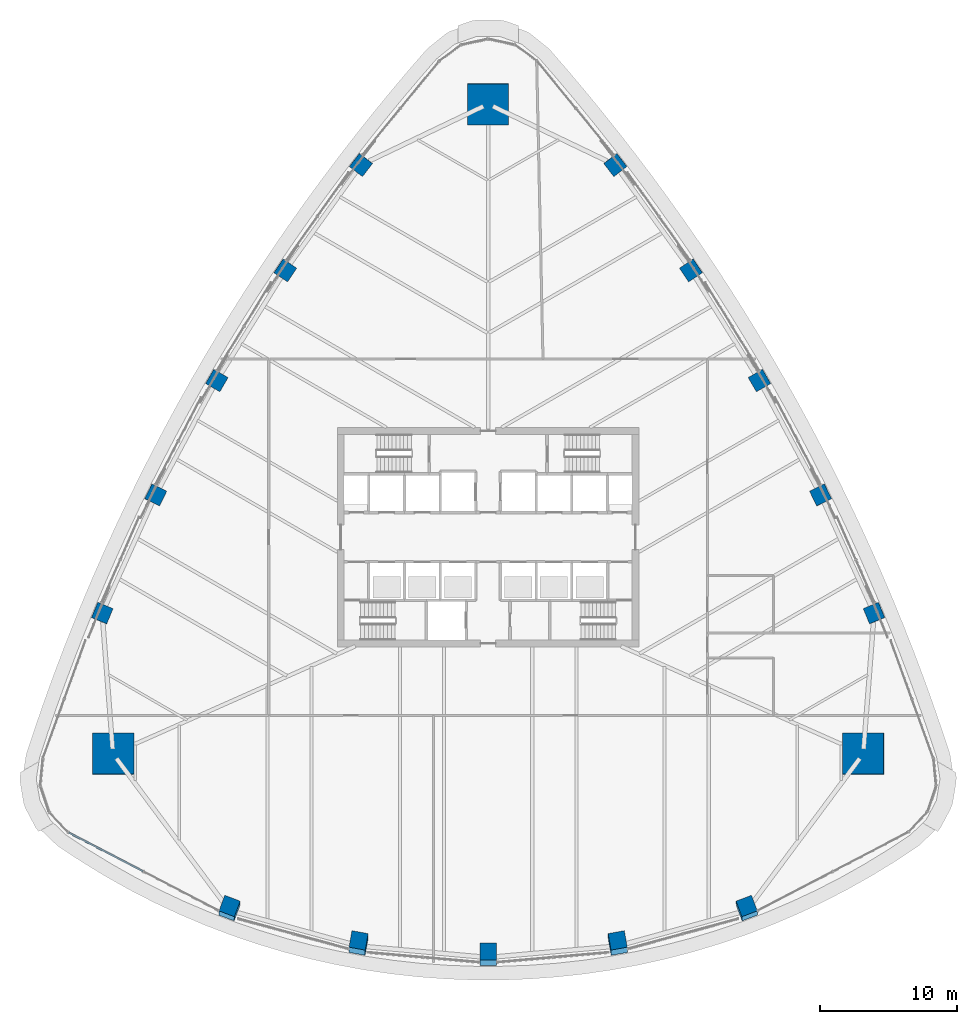
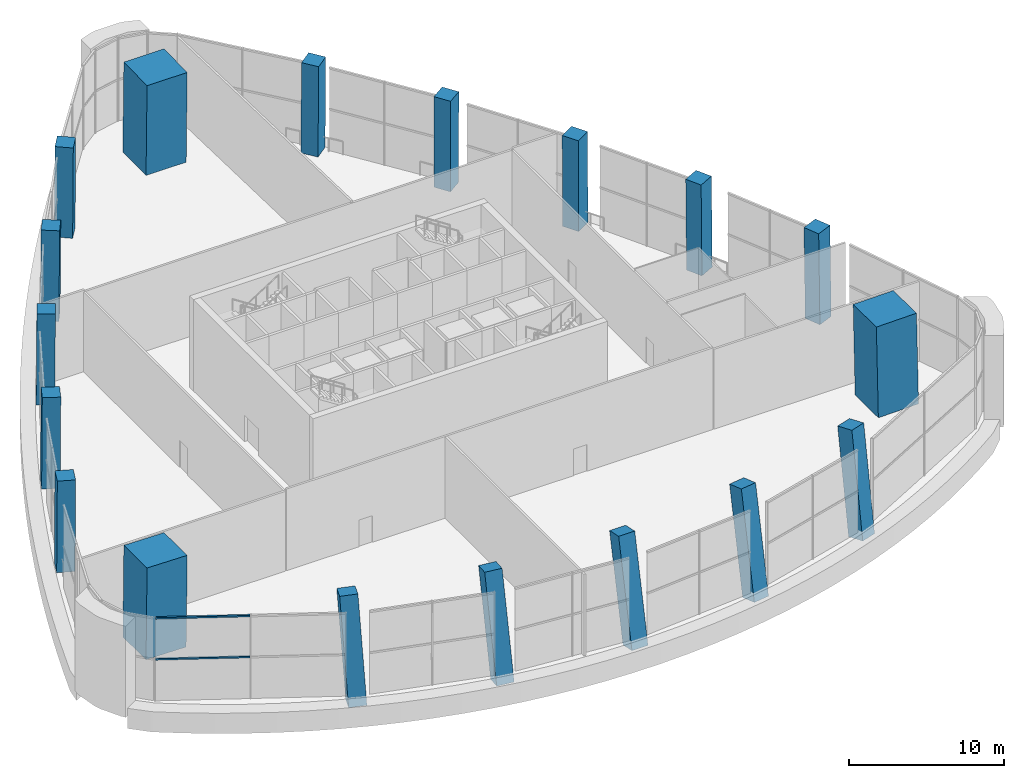
# One storey, part 1 of 23: 18 columns, 2 members, 1 element without a shape of its own.
"""IFC4 building model written with IfcOpenShell, lengths in metres."""

from ifc_helpers import new_model, si_unit, direction, frame, origin, origin_2d, place, context, subcontext, project, spatial, rectangle, extrude, clip, halfspace, material, layer, layer_set, material_profile, profile_set, type_object, element, aggregate, save


model = new_model("IFC4")

# Units and contexts
model_context = context("Model", 3, precision=1e-05, world=origin(), true_north=direction((0.0, 1.0)))
body_context = subcontext(model_context, "Body", "Model", "MODEL_VIEW")
ifc_project = project(units=[si_unit("LENGTHUNIT", "METRE"), si_unit("AREAUNIT", "SQUARE_METRE"), si_unit("VOLUMEUNIT", "CUBIC_METRE"), si_unit("PLANEANGLEUNIT", "RADIAN"), si_unit("MASSUNIT", "GRAM", prefix="KILO")], contexts=[model_context])

# Site, building, storey
site_placement = place(None, origin())
site = spatial("IfcSite", under=ifc_project, at=site_placement, CompositionType="ELEMENT")
building_placement = place(site_placement, origin())
building = spatial("IfcBuilding", under=site, at=building_placement, Name="Sierra Prisma Convention Tower", CompositionType="ELEMENT")
storey_placement = place(building_placement, frame((0.0, 0.0, 40.800048828125)))
storey = spatial("IfcBuildingStorey", under=building, at=storey_placement, Name="L06", CompositionType="ELEMENT", Elevation=40.800048828125)

# Columns
ifc_material_1 = material(Name="Concrete C60/75", Category="concrete")
ifc_material_profile_1 = material_profile(ifc_material_1, rectangle(XDim=3.0, YDim=3.0, at=origin_2d()), Name="Mega column RC 3000 C60/75")
ifc_profile_set_1 = profile_set([ifc_material_profile_1], Name="Concrete C60/75")
column_type_1 = type_object("IfcColumnType", Name="Mega column RC 3000 C60/75", PredefinedType="COLUMN", material=ifc_profile_set_1)
column_1_placement = place(storey_placement, frame((27.35498046875, -15.79345703125, 0.0), z_axis=(-0.015731017222, 0.009086018568, 0.999834976065), x_axis=(0.999876259893, 0.000142950003, 0.015730367705)))
element("IfcColumn", 1, at=column_1_placement, inside=storey, type_object=column_type_1, Name="Mega column SE L06", PredefinedType="COLUMN", context=body_context, shape_type="SweptSolid", body=[
    clip(clip(extrude(rectangle(XDim=3.0, YDim=3.0, at=origin_2d()), origin(), (0.0, 0.0, 1.0), 7.201171875), halfspace(frame((0.0, 0.0, 0.018798828125)), True)), halfspace(frame((0.0, 0.0, 7.183349609375)), False)),
])
column_2_placement = place(storey_placement, frame((0.0, 31.5869140625, 0.0), z_axis=(0.0, -0.018172035298, 0.999834874933), x_axis=(1.0, 0.0, 0.0)))
element("IfcColumn", 2, at=column_2_placement, inside=storey, type_object=column_type_1, Name="Mega column N L06", PredefinedType="COLUMN", context=body_context, shape_type="SweptSolid", body=[
    clip(clip(extrude(rectangle(XDim=3.0, YDim=3.0, at=origin_2d()), origin(), (0.0, 0.0, 1.0), 7.201171875), halfspace(frame((0.0, 0.0, 0.013916015625)), True)), halfspace(frame((0.0, 0.0, 7.18798828125)), False)),
])
column_3_placement = place(storey_placement, frame((-27.35498046875, -15.79345703125, 0.0), z_axis=(0.015731017222, 0.009086018568, 0.999834976065), x_axis=(0.999876259893, -0.000142950003, -0.015730367705)))
element("IfcColumn", 3, at=column_3_placement, inside=storey, type_object=column_type_1, Name="Mega column SW L06", PredefinedType="COLUMN", context=body_context, shape_type="SweptSolid", body=[
    clip(clip(extrude(rectangle(XDim=3.0, YDim=3.0, at=origin_2d()), origin(), (0.0, 0.0, 1.0), 7.201171875), halfspace(frame((0.0, 0.0, 0.018798828125)), True)), halfspace(frame((0.0, 0.0, 7.183349609375)), False)),
])
ifc_material_2 = material(Name="Concrete C60/75", Category="concrete")
ifc_material_profile_2 = material_profile(ifc_material_2, rectangle(XDim=1.199951171875, YDim=1.199951171875, at=origin_2d()), Name="Perimeter column RC 1200 C60/75")
ifc_profile_set_2 = profile_set([ifc_material_profile_2], Name="Concrete C60/75")
column_type_2 = type_object("IfcColumnType", Name="Perimeter column RC 1200 C60/75", PredefinedType="COLUMN", material=ifc_profile_set_2)
column_4_placement = place(storey_placement, frame((-18.873046875, -27.216552734375, -0.800048828125), z_axis=(0.008827608643, 0.15895721228, 0.987246006824), x_axis=(-0.935890360505, 0.349029526588, -0.047829098714)))
element("IfcColumn", 4, at=column_4_placement, inside=storey, type_object=column_type_2, Name="Perimeter column S-1 L06", PredefinedType="COLUMN", context=body_context, shape_type="SweptSolid", body=[
    clip(extrude(rectangle(XDim=1.199951171875, YDim=1.199951171875, at=origin_2d()), origin(), (0.0, 0.0, 1.0), 8.103271484375), halfspace(frame((0.0, 0.0, 8.095703125)), False)),
])
column_5_placement = place(storey_placement, frame((-9.456787109375, -29.808837890625, -0.800048828125), z_axis=(0.004366538827, 0.198856963432, 0.980018796469), x_axis=(-0.984295139552, 0.173808437935, -0.03088211711)))
element("IfcColumn", 5, at=column_5_placement, inside=storey, type_object=column_type_2, Name="Perimeter column S-2 L06", PredefinedType="COLUMN", context=body_context, shape_type="SweptSolid", body=[
    clip(extrude(rectangle(XDim=1.199951171875, YDim=1.199951171875, at=origin_2d()), origin(), (0.0, 0.0, 1.0), 8.1630859375), halfspace(frame((0.0, 0.0, 8.15478515625)), False)),
])
column_6_placement = place(storey_placement, frame((0.0, -30.64990234375, -0.800048828125), z_axis=(0.0, 0.21093456423, 0.977500183945), x_axis=(-1.0, 0.0, 0.0)))
element("IfcColumn", 6, at=column_6_placement, inside=storey, type_object=column_type_2, Name="Perimeter column S-3 L06", PredefinedType="COLUMN", context=body_context, shape_type="SweptSolid", body=[
    clip(extrude(rectangle(XDim=1.199951171875, YDim=1.199951171875, at=origin_2d()), origin(), (0.0, 0.0, 1.0), 8.18408203125), halfspace(frame((0.0, 0.0, 8.17529296875)), False)),
])
column_7_placement = place(storey_placement, frame((9.456787109375, -29.808837890625, -0.800048828125), z_axis=(-0.004366538827, 0.198856963432, 0.980018796469), x_axis=(0.984295139552, 0.173808437935, -0.03088211711)))
element("IfcColumn", 7, at=column_7_placement, inside=storey, type_object=column_type_2, Name="Perimeter column S-4 L06", PredefinedType="COLUMN", context=body_context, shape_type="SweptSolid", body=[
    clip(extrude(rectangle(XDim=1.199951171875, YDim=1.199951171875, at=origin_2d()), origin(), (0.0, 0.0, 1.0), 8.1630859375), halfspace(frame((0.0, 0.0, 8.15478515625)), False)),
])
column_8_placement = place(storey_placement, frame((18.873046875, -27.216552734375, -0.800048828125), z_axis=(-0.008827608643, 0.15895721228, 0.987246006824), x_axis=(0.935890360505, 0.349029526588, -0.047829098714)))
element("IfcColumn", 8, at=column_8_placement, inside=storey, type_object=column_type_2, Name="Perimeter column S-5 L06", PredefinedType="COLUMN", context=body_context, shape_type="SweptSolid", body=[
    clip(extrude(rectangle(XDim=1.199951171875, YDim=1.199951171875, at=origin_2d()), origin(), (0.0, 0.0, 1.0), 8.103271484375), halfspace(frame((0.0, 0.0, 8.095703125)), False)),
])
column_9_placement = place(storey_placement, frame((28.14892578125, -5.540771484375, 0.0), z_axis=(-0.010002391004, 0.0056623705, 0.999933942685), x_axis=(-0.382116007495, 0.924069998434, -0.009055098571)))
element("IfcColumn", 9, at=column_9_placement, inside=storey, type_object=column_type_2, Name="Perimeter column NE-1 L06", PredefinedType="COLUMN", context=body_context, shape_type="SweptSolid", body=[
    clip(clip(extrude(rectangle(XDim=1.199951171875, YDim=1.199951171875, at=origin_2d()), origin(), (0.0, 0.0, 1.0), 7.200439453125), halfspace(frame((0.0, 0.0, 0.009765625)), True)), halfspace(frame((0.0, 0.0, 7.195556640625)), False)),
])
column_10_placement = place(storey_placement, frame((24.247802734375, 3.07958984375, 0.0), z_axis=(-0.007866557869, 0.001186765196, 0.999968353927), x_axis=(-0.442008886262, 0.896999173291, -0.004541759611)))
element("IfcColumn", 10, at=column_10_placement, inside=storey, type_object=column_type_2, Name="Perimeter column NE-2 L06", PredefinedType="COLUMN", context=body_context, shape_type="SweptSolid", body=[
    clip(clip(extrude(rectangle(XDim=1.199951171875, YDim=1.199951171875, at=origin_2d()), origin(), (0.0, 0.0, 1.0), 7.2001953125), halfspace(frame((0.0, 0.0, 0.00830078125)), True)), halfspace(frame((0.0, 0.0, 7.19677734375)), False)),
])
column_11_placement = place(storey_placement, frame((19.788818359375, 11.425048828125, 0.0), z_axis=(-0.005526997469, -0.003187348234, 0.999979646348), x_axis=(-0.499992363016, 0.866029812948, -3.117994e-06)))
element("IfcColumn", 11, at=column_11_placement, inside=storey, type_object=column_type_2, Name="Perimeter column NE-3 L06", PredefinedType="COLUMN", context=body_context, shape_type="SweptSolid", body=[
    clip(clip(extrude(rectangle(XDim=1.199951171875, YDim=1.199951171875, at=origin_2d()), origin(), (0.0, 0.0, 1.0), 7.2001953125), halfspace(frame((0.0, 0.0, 0.0068359375)), True)), halfspace(frame((0.0, 0.0, 7.197998046875)), False)),
])
column_12_placement = place(storey_placement, frame((14.791015625, 19.45947265625, 0.0), z_axis=(-0.002916051107, -0.007425758053, 0.999968176875), x_axis=(-0.555814547403, 0.831293849984, 0.004552348244)))
element("IfcColumn", 12, at=column_12_placement, inside=storey, type_object=column_type_2, Name="Perimeter column NE-4 L06", PredefinedType="COLUMN", context=body_context, shape_type="SweptSolid", body=[
    clip(clip(extrude(rectangle(XDim=1.199951171875, YDim=1.199951171875, at=origin_2d()), origin(), (0.0, 0.0, 1.0), 7.2001953125), halfspace(frame((0.0, 0.0, 0.00830078125)), True)), halfspace(frame((0.0, 0.0, 7.19677734375)), False)),
])
for number, where, z_axis, x_axis, name in (
    (13, (9.27587890625, 27.148193359375, 0.0), (-6.7812793e-05, -0.01152817489, 0.999933546085), (-0.609232105746, 0.792939734998, 0.009100438971), "Perimeter column NE-5 L06"),
    (14, (-9.27587890625, 27.148193359375, 0.0), (6.7812793e-05, -0.01152817489, 0.999933546085), (0.609232105746, 0.792939734998, 0.009100438971), "Perimeter column NW-1 L06"),
):
    element("IfcColumn", number, at=place(storey_placement, frame(where, z_axis=z_axis, x_axis=x_axis)), inside=storey, type_object=column_type_2, Name=name, PredefinedType="COLUMN", context=body_context, shape_type="SweptSolid", body=[
        clip(clip(extrude(rectangle(XDim=1.199951171875, YDim=1.199951171875, at=origin_2d()), origin(), (0.0, 0.0, 1.0), 7.200439453125), halfspace(frame((0.0, 0.0, 0.009765625)), True)), halfspace(frame((0.0, 0.0, 7.195556640625)), False)),
    ])
column_13_placement = place(storey_placement, frame((-14.791015625, 19.45947265625, 0.0), z_axis=(0.002916051107, -0.007425758053, 0.999968176875), x_axis=(0.555814547403, 0.831293849984, 0.004552348244)))
element("IfcColumn", 15, at=column_13_placement, inside=storey, type_object=column_type_2, Name="Perimeter column NW-2 L06", PredefinedType="COLUMN", context=body_context, shape_type="SweptSolid", body=[
    clip(clip(extrude(rectangle(XDim=1.199951171875, YDim=1.199951171875, at=origin_2d()), origin(), (0.0, 0.0, 1.0), 7.2001953125), halfspace(frame((0.0, 0.0, 0.00830078125)), True)), halfspace(frame((0.0, 0.0, 7.19677734375)), False)),
])
column_14_placement = place(storey_placement, frame((-19.788818359375, 11.425048828125, 0.0), z_axis=(0.005526997469, -0.003187348234, 0.999979646348), x_axis=(0.499992363016, 0.866029812948, -3.117994e-06)))
element("IfcColumn", 16, at=column_14_placement, inside=storey, type_object=column_type_2, Name="Perimeter column NW-3 L06", PredefinedType="COLUMN", context=body_context, shape_type="SweptSolid", body=[
    clip(clip(extrude(rectangle(XDim=1.199951171875, YDim=1.199951171875, at=origin_2d()), origin(), (0.0, 0.0, 1.0), 7.2001953125), halfspace(frame((0.0, 0.0, 0.0068359375)), True)), halfspace(frame((0.0, 0.0, 7.197998046875)), False)),
])
column_15_placement = place(storey_placement, frame((-24.247802734375, 3.07958984375, 0.0), z_axis=(0.007866557869, 0.001186765196, 0.999968353927), x_axis=(0.442008886262, 0.896999173291, -0.004541759611)))
element("IfcColumn", 17, at=column_15_placement, inside=storey, type_object=column_type_2, Name="Perimeter column NW-4 L06", PredefinedType="COLUMN", context=body_context, shape_type="SweptSolid", body=[
    clip(clip(extrude(rectangle(XDim=1.199951171875, YDim=1.199951171875, at=origin_2d()), origin(), (0.0, 0.0, 1.0), 7.2001953125), halfspace(frame((0.0, 0.0, 0.00830078125)), True)), halfspace(frame((0.0, 0.0, 7.19677734375)), False)),
])
column_16_placement = place(storey_placement, frame((-28.14892578125, -5.540771484375, 0.0), z_axis=(0.010002391004, 0.0056623705, 0.999933942685), x_axis=(0.382116007495, 0.924069998434, -0.009055098571)))
element("IfcColumn", 18, at=column_16_placement, inside=storey, type_object=column_type_2, Name="Perimeter column NW-5 L06", PredefinedType="COLUMN", context=body_context, shape_type="SweptSolid", body=[
    clip(clip(extrude(rectangle(XDim=1.199951171875, YDim=1.199951171875, at=origin_2d()), origin(), (0.0, 0.0, 1.0), 7.200439453125), halfspace(frame((0.0, 0.0, 0.009765625)), True)), halfspace(frame((0.0, 0.0, 7.195556640625)), False)),
])

# Curtain wall, members
ifc_material_3 = material(Name="Aluminium and glass curtain wall", Category="aluminium")
ifc_layer = layer(ifc_material_3, 0.179931640625)
ifc_layer_set = layer_set([ifc_layer], Name="CW-4 Sky lobby double-height curtain wall")
curtain_wall_type = type_object("IfcCurtainWallType", Name="CW-4 Sky lobby double-height curtain wall", PredefinedType="NOTDEFINED", material=ifc_layer_set)
curtain_wall_placement = place(storey_placement, origin())
curtain_wall = element("IfcCurtainWall", 19, at=curtain_wall_placement, inside=storey, type_object=curtain_wall_type, Name="CW-4 S1 L06", PredefinedType="NOTDEFINED")
ifc_material_4 = material(Name="Aluminium 6063-T6 bronze anodised", Category="aluminium")
ifc_material_profile_3 = material_profile(ifc_material_4, rectangle(XDim=0.139892578125, YDim=0.1201171875, at=origin_2d()), Name="ALU TRANSOM 120x140")
ifc_profile_set_3 = profile_set([ifc_material_profile_3], Name="Aluminium 6063-T6 bronze anodised")
member_type = type_object("IfcMemberType", Name="CW transom bronze", PredefinedType="USERDEFINED", material=ifc_profile_set_3)
member_1_placement = place(storey_placement, frame((-30.586181640625, -21.539306640625, 6.5400390625), z_axis=(0.886797765504, -0.462157682072, 0.0), x_axis=(0.462157682072, 0.886797765504, 0.0)))
member_1 = element("IfcMember", 20, at=member_1_placement, type_object=member_type, Name="CW-4 transom S1.1", ObjectType="TRANSOM", PredefinedType="USERDEFINED", context=body_context, shape_type="SweptSolid", body=[
    extrude(rectangle(XDim=0.139892578125, YDim=0.1201171875, at=origin_2d()), origin(), (0.0, 0.0, 1.0), 6.1103515625),
])
member_2_placement = place(storey_placement, frame((-30.586181640625, -21.539306640625, 3.300048828125), z_axis=(0.886797765504, -0.462157682072, 0.0), x_axis=(0.462157682072, 0.886797765504, 0.0)))
member_2 = element("IfcMember", 21, at=member_2_placement, type_object=member_type, Name="CW-4 transom S1.1 mid", ObjectType="TRANSOM", PredefinedType="USERDEFINED", context=body_context, shape_type="SweptSolid", body=[
    extrude(rectangle(XDim=0.139892578125, YDim=0.1201171875, at=origin_2d()), origin(), (0.0, 0.0, 1.0), 6.1103515625),
])
aggregate(curtain_wall, [member_1, member_2])

save(model, "model.ifc")
